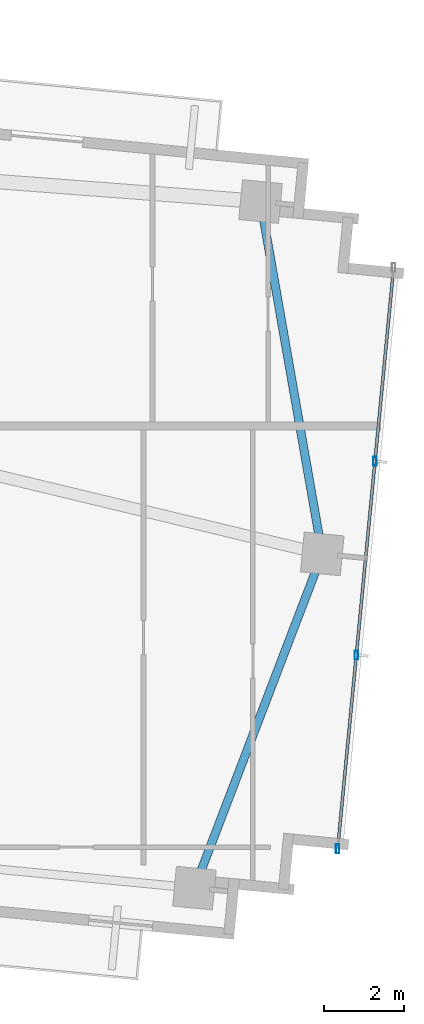
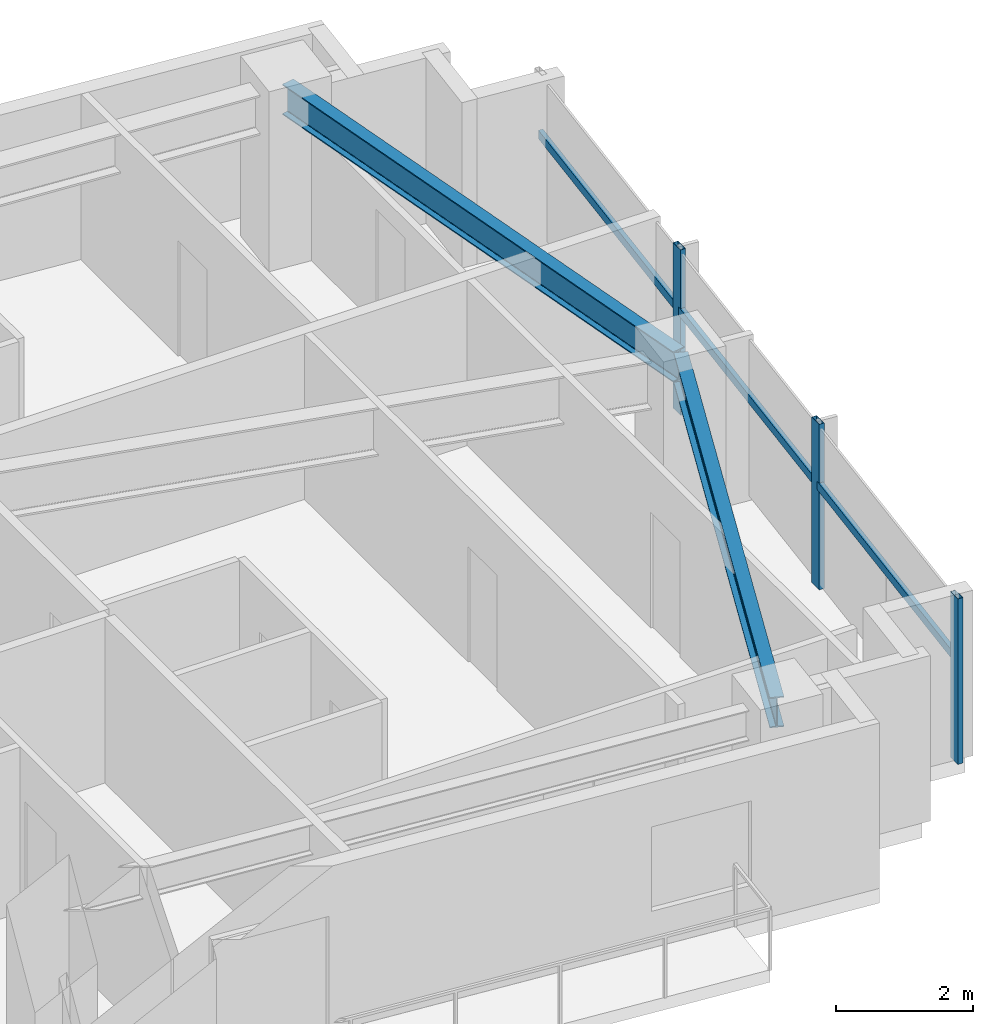
# One storey, part 10 of 19: 6 members, 2 beams, 1 element without a shape of its own.
"""IFC4 building model written with IfcOpenShell, lengths in metres."""

from ifc_helpers import new_model, si_unit, direction, frame, origin, origin_2d, place, context, subcontext, project, spatial, hollow_rectangle, i_section, extrude, source, transform, mapped, material, material_profile, profile_set, type_object, type_shapes, element, aggregate, save


model = new_model("IFC4")

# Units and contexts
model_context = context("Model", 3, precision=1e-05, world=origin(), true_north=direction((0.0, 1.0)))
body_context = subcontext(model_context, "Body", "Model", "MODEL_VIEW")
ifc_project = project(units=[si_unit("LENGTHUNIT", "METRE"), si_unit("AREAUNIT", "SQUARE_METRE"), si_unit("VOLUMEUNIT", "CUBIC_METRE"), si_unit("PLANEANGLEUNIT", "RADIAN"), si_unit("MASSUNIT", "GRAM", prefix="KILO")], contexts=[model_context])

# Site, building, storey
site_placement = place(None, origin())
site = spatial("IfcSite", under=ifc_project, at=site_placement, CompositionType="ELEMENT")
building_placement = place(site_placement, origin())
building = spatial("IfcBuilding", under=site, at=building_placement, Name="Astriad Promenade Condominiums", CompositionType="ELEMENT")
storey_placement = place(building_placement, frame((0.0, 0.0, 143.800048828125)))
storey = spatial("IfcBuildingStorey", under=building, at=storey_placement, Name="L41", CompositionType="ELEMENT", Elevation=143.800048828125)

# Beams
ifc_material_1 = material(Name="Steel ASTM A992 Grade 50", Category="steel")
ifc_material_profile_1 = material_profile(ifc_material_1, i_section(OverallWidth=0.210693359375, OverallDepth=0.53955078125, WebThickness=0.01171875, FlangeThickness=0.018798828125, FilletRadius=0.0166015625, at=origin_2d()), Name="W21X73")
ifc_profile_set_1 = profile_set([ifc_material_profile_1], Name="Steel ASTM A992 Grade 50")
beam_type = type_object("IfcBeamType", Name="STEEL SPANDREL BEAM W21X73", PredefinedType="SPANDREL", material=ifc_profile_set_1)
shared_shape_1 = source(origin(), body_context, "Body", "SweptSolid", [
    extrude(i_section(OverallWidth=0.210693359375, OverallDepth=0.53955078125, WebThickness=0.01171875, FlangeThickness=0.018798828125, FilletRadius=0.0166015625, at=origin_2d()), origin(), (0.0, 0.0, 1.0), 8.8623046875),
])
type_shapes(beam_type, [shared_shape_1])
for number, where, z_axis, x_axis, name in (
    (1, (55.081298828125, 6.033447265625, 2.670166015625), (0.357298632827, 0.933990196405, 0.0), (-0.933990196405, 0.357298632827, 0.0), "Perimeter Spandrel Beam SP-E1-L41"),
    (2, (58.25537109375, 14.3876953125, 2.670166015625), (-0.172532686951, 0.985003792852, 0.0), (-0.985003792852, -0.172532686951, 0.0), "Perimeter Spandrel Beam SP-E2-L41"),
):
    element("IfcBeam", number, at=place(storey_placement, frame(where, z_axis=z_axis, x_axis=x_axis)), inside=storey, type_object=beam_type, Name=name, PredefinedType="SPANDREL", context=body_context, shape_type="MappedRepresentation", body=[
        mapped(shared_shape_1, transform((0.0, 0.0, 0.0), scale=1.0)),
    ])

# Curtain wall, members
ifc_material_2 = material(Name="Anodised aluminium Black Dark Glass Unitised", Category="aluminium")
curtain_wall_type = type_object("IfcCurtainWallType", Name="CW-B34-DARK", PredefinedType="USERDEFINED", material=ifc_material_2)
curtain_wall_placement = place(storey_placement, origin())
curtain_wall = element("IfcCurtainWall", 3, at=curtain_wall_placement, inside=storey, type_object=curtain_wall_type, Name="CW-L41-E", ObjectType="UNITISED_CURTAIN_WALL", PredefinedType="USERDEFINED")
ifc_material_3 = material(Name="Anodised aluminium 6063-T6 Black", Category="aluminium")
ifc_material_profile_2 = material_profile(ifc_material_3, hollow_rectangle(XDim=0.0849609375, YDim=0.219970703125, WallThickness=0.0048828125, at=origin_2d()), Name="ALU-MUL-85X220")
ifc_profile_set_2 = profile_set([ifc_material_profile_2], Name="Anodised aluminium 6063-T6 Black")
member_type_1 = type_object("IfcMemberType", Name="MUL-ALU-MUL-85X220", PredefinedType="MULLION", material=ifc_profile_set_2)
shared_shape_2 = source(origin(), body_context, "Body", "SweptSolid", [
    extrude(hollow_rectangle(XDim=0.0849609375, YDim=0.219970703125, WallThickness=0.0048828125, at=origin_2d()), origin(), (0.0, 0.0, 1.0), 2.93994140625),
])
type_shapes(member_type_1, [shared_shape_2])
member_1_placement = place(storey_placement, frame((59.580322265625, 16.666015625, 0.0), z_axis=(0.0, 0.0, 1.0), x_axis=(1.0, 0.0, 0.0)))
member_1 = element("IfcMember", 4, at=member_1_placement, type_object=member_type_1, Name="CW-L41-E-MUL-01", PredefinedType="MULLION", context=body_context, shape_type="MappedRepresentation", body=[
    mapped(shared_shape_2, transform((0.0, 0.0, 0.0), scale=1.0)),
])
member_2_placement = place(storey_placement, frame((59.114013671875, 11.82177734375, 0.0), z_axis=(0.0, 0.0, 1.0), x_axis=(1.0, 0.0, 0.0)))
member_2 = element("IfcMember", 5, at=member_2_placement, type_object=member_type_1, Name="CW-L41-E-MUL-02", PredefinedType="MULLION", context=body_context, shape_type="MappedRepresentation", body=[
    mapped(shared_shape_2, transform((0.0, 0.0, 0.0), scale=1.0)),
])
member_3_placement = place(storey_placement, frame((58.6474609375, 6.977294921875, 0.0), z_axis=(0.0, 0.0, 1.0), x_axis=(1.0, 0.0, 0.0)))
member_3 = element("IfcMember", 6, at=member_3_placement, type_object=member_type_1, Name="CW-L41-E-MUL-03", PredefinedType="MULLION", context=body_context, shape_type="MappedRepresentation", body=[
    mapped(shared_shape_2, transform((0.0, 0.0, 0.0), scale=1.0)),
])
ifc_material_profile_3 = material_profile(ifc_material_3, hollow_rectangle(XDim=0.074951171875, YDim=0.14990234375, WallThickness=0.004150390625, at=origin_2d()), Name="ALU-TRN-75X150")
ifc_profile_set_3 = profile_set([ifc_material_profile_3], Name="Anodised aluminium 6063-T6 Black")
member_type_2 = type_object("IfcMemberType", Name="TRN-ALU-TRN-75X150", PredefinedType="USERDEFINED", material=ifc_profile_set_3)
shared_shape_3 = source(origin(), body_context, "Body", "SweptSolid", [
    extrude(hollow_rectangle(XDim=0.074951171875, YDim=0.14990234375, WallThickness=0.004150390625, at=origin_2d()), origin(), (0.0, 0.0, 1.0), 4.86669921875),
])
member_4_placement = place(storey_placement, frame((60.046875, 21.51025390625, 1.82275390625), z_axis=(-0.095867260207, -0.995394127178, 0.0), x_axis=(0.995394127178, -0.095867260207, 0.0)))
member_4 = element("IfcMember", 7, at=member_4_placement, type_object=member_type_2, Name="CW-L41-E-TRN-00-0", ObjectType="TRANSOM", PredefinedType="USERDEFINED", context=body_context, shape_type="MappedRepresentation", body=[
    mapped(shared_shape_3, transform((0.0, 0.0, 0.0), scale=1.0)),
])
member_5_placement = place(storey_placement, frame((59.580322265625, 16.666015625, 1.82275390625), z_axis=(-0.095817554883, -0.995398913088, 0.0), x_axis=(0.995398913088, -0.095817554883, 0.0)))
member_5 = element("IfcMember", 8, at=member_5_placement, type_object=member_type_2, Name="CW-L41-E-TRN-01-0", ObjectType="TRANSOM", PredefinedType="USERDEFINED", context=body_context, shape_type="MappedRepresentation", body=[
    mapped(shared_shape_3, transform((0.0, 0.0, 0.0), scale=1.0)),
])
shared_shape_4 = source(origin(), body_context, "Body", "SweptSolid", [
    extrude(hollow_rectangle(XDim=0.074951171875, YDim=0.14990234375, WallThickness=0.004150390625, at=origin_2d()), origin(), (0.0, 0.0, 1.0), 4.866943359375),
])
type_shapes(member_type_2, [shared_shape_3, shared_shape_4])
member_6_placement = place(storey_placement, frame((59.114013671875, 11.82177734375, 1.82275390625), z_axis=(-0.095862473318, -0.995394588196, 0.0), x_axis=(0.995394588196, -0.095862473318, 0.0)))
member_6 = element("IfcMember", 9, at=member_6_placement, type_object=member_type_2, Name="CW-L41-E-TRN-02-0", ObjectType="TRANSOM", PredefinedType="USERDEFINED", context=body_context, shape_type="MappedRepresentation", body=[
    mapped(shared_shape_4, transform((0.0, 0.0, 0.0), scale=1.0)),
])
aggregate(curtain_wall, [member_1, member_2, member_3, member_4, member_5, member_6])

save(model, "model.ifc")
